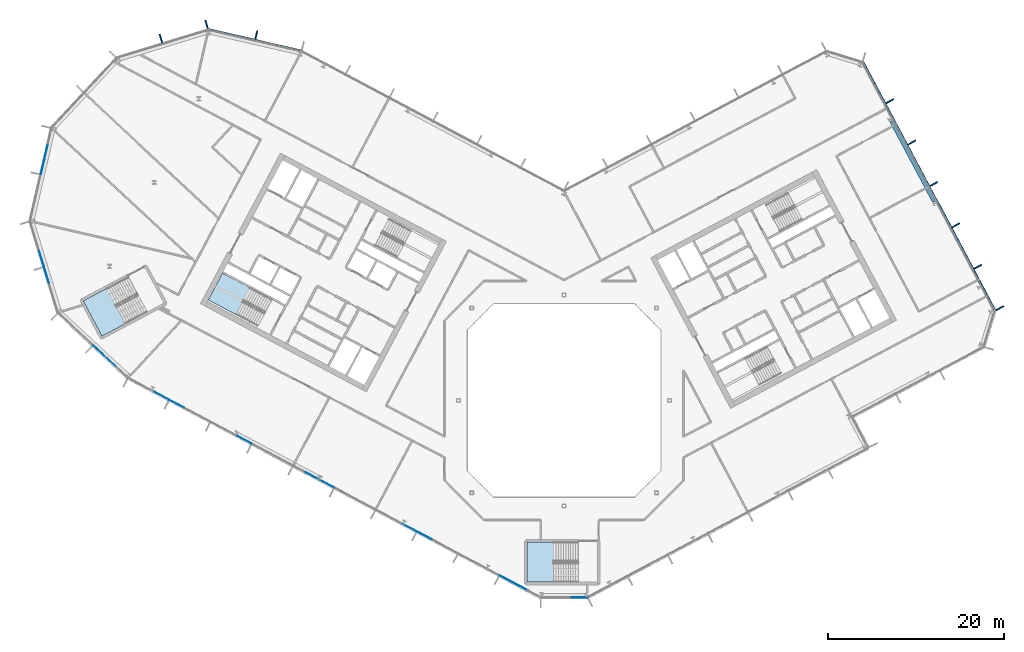
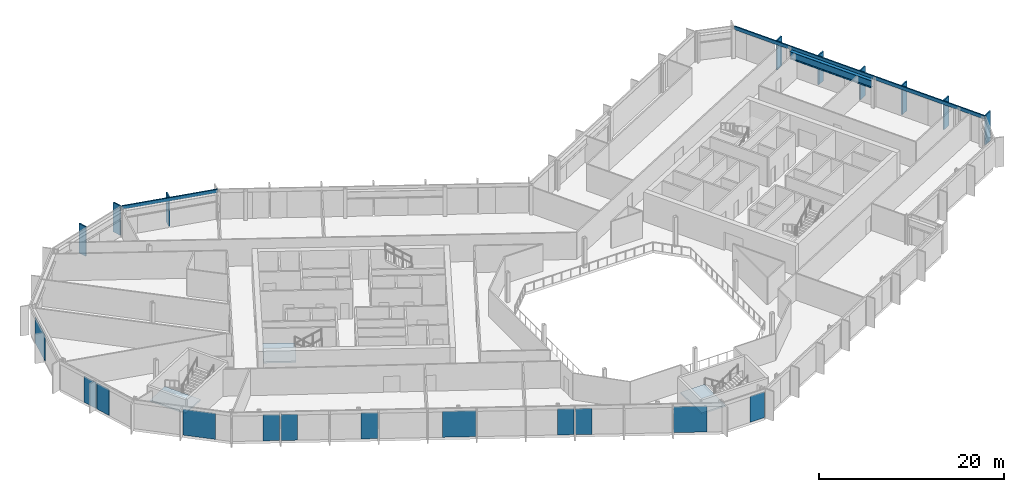
# One storey, part 10 of 27: 12 plates, 11 members, 3 slabs, 1 beam, 11 elements without a shape of their own.
"""IFC4 building model written with IfcOpenShell, lengths in metres."""

from ifc_helpers import new_model, si_unit, direction, frame, origin, origin_2d, place, context, subcontext, project, spatial, polyline, rectangle, i_section, outline, extrude, material, layer, layer_set, material_profile, profile_set, type_object, element, aggregate, save


model = new_model("IFC4")

# Units and contexts
model_context = context("Model", 3, precision=1e-05, world=origin(), true_north=direction((0.0, 1.0)))
body_context = subcontext(model_context, "Body", "Model", "MODEL_VIEW")
ifc_project = project(units=[si_unit("LENGTHUNIT", "METRE"), si_unit("AREAUNIT", "SQUARE_METRE"), si_unit("VOLUMEUNIT", "CUBIC_METRE"), si_unit("PLANEANGLEUNIT", "RADIAN"), si_unit("MASSUNIT", "GRAM", prefix="KILO")], contexts=[model_context])

# Site, building, storey
site_placement = place(None, origin())
site = spatial("IfcSite", under=ifc_project, at=site_placement, CompositionType="ELEMENT")
building_placement = place(site_placement, origin())
building = spatial("IfcBuilding", under=site, at=building_placement, Name="Cormorant Relay Tower", CompositionType="ELEMENT")
storey_placement = place(building_placement, frame((0.0, 0.0, 216.89990234375)))
storey = spatial("IfcBuildingStorey", under=building, at=storey_placement, Name="L47", CompositionType="ELEMENT", Elevation=216.89990234375)

# Curtain wall, members
ifc_material_1 = material(Name="Aluminium 6063-T6 anodised bronze", Category="aluminium")
ifc_layer_1 = layer(ifc_material_1, 0.199951171875)
ifc_layer_set_1 = layer_set([ifc_layer_1], Name="CW1 unitised bronze curtain wall with vertical fins")
curtain_wall_type = type_object("IfcCurtainWallType", Name="CW1 unitised bronze curtain wall with vertical fins", PredefinedType="NOTDEFINED", material=ifc_layer_set_1)
curtain_wall_1_placement = place(storey_placement, origin())
curtain_wall_1 = element("IfcCurtainWall", 1, at=curtain_wall_1_placement, inside=storey, type_object=curtain_wall_type, Name="CW1 curtain wall 6", PredefinedType="NOTDEFINED")
ifc_material_2 = material(Name="Aluminium 6063-T6 anodised bronze", Category="aluminium")
ifc_material_profile_1 = material_profile(ifc_material_2, rectangle(XDim=0.14990234375, YDim=1.0, at=origin_2d()), Name="AL 150x1000")
ifc_profile_set_1 = profile_set([ifc_material_profile_1], Name="Aluminium 6063-T6 anodised bronze")
member_type_1 = type_object("IfcMemberType", Name="CW1 bronze fin mullion 150 x 1000", PredefinedType="MULLION", material=ifc_profile_set_1)
member_1_placement = place(storey_placement, frame((49.572021484375, 10.501953125, 0.0), z_axis=(0.0, 0.0, 1.0), x_axis=(-0.469471562786, 0.882947592859, 0.0)))
member_1 = element("IfcMember", 2, at=member_1_placement, type_object=member_type_1, Name="CW1 fin 6.1", PredefinedType="MULLION", context=body_context, shape_type="SweptSolid", body=[
    extrude(rectangle(XDim=0.14990234375, YDim=1.0, at=origin_2d()), origin(), (0.0, 0.0, 1.0), 3.900146484375),
])
member_2_placement = place(storey_placement, frame((47.068359375, 15.211181640625, 0.0), z_axis=(0.0, 0.0, 1.0), x_axis=(-0.469471562786, 0.882947592859, 0.0)))
member_2 = element("IfcMember", 3, at=member_2_placement, type_object=member_type_1, Name="CW1 fin 6.2", PredefinedType="MULLION", context=body_context, shape_type="SweptSolid", body=[
    extrude(rectangle(XDim=0.14990234375, YDim=1.0, at=origin_2d()), origin(), (0.0, 0.0, 1.0), 3.900146484375),
])
member_3_placement = place(storey_placement, frame((44.564453125, 19.920166015625, 0.0), z_axis=(0.0, 0.0, 1.0), x_axis=(-0.469471562786, 0.882947592859, 0.0)))
member_3 = element("IfcMember", 4, at=member_3_placement, type_object=member_type_1, Name="CW1 fin 6.3", PredefinedType="MULLION", context=body_context, shape_type="SweptSolid", body=[
    extrude(rectangle(XDim=0.14990234375, YDim=1.0, at=origin_2d()), origin(), (0.0, 0.0, 1.0), 3.900146484375),
])
member_4_placement = place(storey_placement, frame((42.060546875, 24.629150390625, 0.0), z_axis=(0.0, 0.0, 1.0), x_axis=(-0.469471562786, 0.882947592859, 0.0)))
member_4 = element("IfcMember", 5, at=member_4_placement, type_object=member_type_1, Name="CW1 fin 6.4", PredefinedType="MULLION", context=body_context, shape_type="SweptSolid", body=[
    extrude(rectangle(XDim=0.14990234375, YDim=1.0, at=origin_2d()), origin(), (0.0, 0.0, 1.0), 3.900146484375),
])
member_5_placement = place(storey_placement, frame((39.556884765625, 29.338134765625, 0.0), z_axis=(0.0, 0.0, 1.0), x_axis=(-0.469471562786, 0.882947592859, 0.0)))
member_5 = element("IfcMember", 6, at=member_5_placement, type_object=member_type_1, Name="CW1 fin 6.5", PredefinedType="MULLION", context=body_context, shape_type="SweptSolid", body=[
    extrude(rectangle(XDim=0.14990234375, YDim=1.0, at=origin_2d()), origin(), (0.0, 0.0, 1.0), 3.900146484375),
])
member_6_placement = place(storey_placement, frame((37.052978515625, 34.04736328125, 0.0), z_axis=(0.0, 0.0, 1.0), x_axis=(-0.469471562786, 0.882947592859, 0.0)))
member_6 = element("IfcMember", 7, at=member_6_placement, type_object=member_type_1, Name="CW1 fin 6.6", PredefinedType="MULLION", context=body_context, shape_type="SweptSolid", body=[
    extrude(rectangle(XDim=0.14990234375, YDim=1.0, at=origin_2d()), origin(), (0.0, 0.0, 1.0), 3.900146484375),
])

# Curtain wall, member
curtain_wall_2_placement = place(storey_placement, origin())
curtain_wall_2 = element("IfcCurtainWall", 8, at=curtain_wall_2_placement, inside=storey, type_object=curtain_wall_type, Name="CW1 curtain wall 10", PredefinedType="NOTDEFINED")
member_7_placement = place(storey_placement, frame((-35.01220703125, 41.57275390625, 0.0), z_axis=(0.0, 0.0, 1.0), x_axis=(-0.974370064785, 0.224951054344, 0.0)))
member_7 = element("IfcMember", 9, at=member_7_placement, type_object=member_type_1, Name="CW1 fin 10.2", PredefinedType="MULLION", context=body_context, shape_type="SweptSolid", body=[
    extrude(rectangle(XDim=0.14990234375, YDim=1.0, at=origin_2d()), origin(), (0.0, 0.0, 1.0), 3.900146484375),
])

# Curtain wall, members
curtain_wall_3_placement = place(storey_placement, origin())
curtain_wall_3 = element("IfcCurtainWall", 10, at=curtain_wall_3_placement, inside=storey, type_object=curtain_wall_type, Name="CW1 curtain wall 11", PredefinedType="NOTDEFINED")
member_8_placement = place(storey_placement, frame((-40.670166015625, 42.78271484375, 0.0), z_axis=(0.0, 0.0, 1.0), x_axis=(-0.956304755963, -0.292371704723, 0.0)))
member_8 = element("IfcMember", 11, at=member_8_placement, type_object=member_type_1, Name="CW1 fin 11.1", PredefinedType="MULLION", context=body_context, shape_type="SweptSolid", body=[
    extrude(rectangle(XDim=0.14990234375, YDim=1.0, at=origin_2d()), origin(), (0.0, 0.0, 1.0), 3.900146484375),
])
member_9_placement = place(storey_placement, frame((-45.867919921875, 41.193603515625, 0.0), z_axis=(0.0, 0.0, 1.0), x_axis=(-0.956304755963, -0.292371704723, 0.0)))
member_9 = element("IfcMember", 12, at=member_9_placement, type_object=member_type_1, Name="CW1 fin 11.2", PredefinedType="MULLION", context=body_context, shape_type="SweptSolid", body=[
    extrude(rectangle(XDim=0.14990234375, YDim=1.0, at=origin_2d()), origin(), (0.0, 0.0, 1.0), 3.900146484375),
])
aggregate(curtain_wall_3, [member_8, member_9])

# Member
ifc_material_3 = material(Name="Aluminium 6063-T6 anodised bronze", Category="aluminium")
ifc_material_profile_2 = material_profile(ifc_material_3, rectangle(XDim=0.159912109375, YDim=0.449951171875, at=origin_2d()), Name="AL 160x450")
ifc_profile_set_2 = profile_set([ifc_material_profile_2], Name="Aluminium 6063-T6 anodised bronze")
member_type_2 = type_object("IfcMemberType", Name="CW1 bronze transom 160 x 450", PredefinedType="USERDEFINED", material=ifc_profile_set_2)
member_10_placement = place(storey_placement, frame((49.06005859375, 10.229736328125, 3.675048828125), z_axis=(-0.46947036835, 0.882948227951, 0.0), x_axis=(-0.882948227951, -0.46947036835, 0.0)))
member_10 = element("IfcMember", 13, at=member_10_placement, type_object=member_type_2, Name="CW1 transom 6", ObjectType="TRANSOM", PredefinedType="USERDEFINED", context=body_context, shape_type="SweptSolid", body=[
    extrude(rectangle(XDim=0.159912109375, YDim=0.449951171875, at=origin_2d()), origin(), (0.0, 0.0, 1.0), 31.999755859375),
])

aggregate(curtain_wall_1, [member_1, member_2, member_3, member_4, member_5, member_6, member_10])

member_11_placement = place(storey_placement, frame((-29.8466796875, 39.784912109375, 3.675048828125), z_axis=(-0.974365070969, 0.224972683844, 0.0), x_axis=(-0.224972683844, -0.974365070969, 0.0)))
member_11 = element("IfcMember", 14, at=member_11_placement, type_object=member_type_2, Name="CW1 transom 10", ObjectType="TRANSOM", PredefinedType="USERDEFINED", context=body_context, shape_type="SweptSolid", body=[
    extrude(rectangle(XDim=0.159912109375, YDim=0.449951171875, at=origin_2d()), origin(), (0.0, 0.0, 1.0), 10.870361328125),
])

aggregate(curtain_wall_2, [member_7, member_11])

# Beam
ifc_material_4 = material(Name="Steel ASTM A992 (Fy 345 MPa)", Category="steel")
ifc_material_profile_3 = material_profile(ifc_material_4, i_section(OverallWidth=0.4013671875, OverallDepth=0.990478515625, WebThickness=0.0166015625, FlangeThickness=0.031005859375, FilletRadius=0.030029296875, at=origin_2d()), Name="W1000x320")
ifc_profile_set_3 = profile_set([ifc_material_profile_3], Name="Steel ASTM A992 (Fy 345 MPa)")
beam_type = type_object("IfcBeamType", Name="Spandrel W1000x320", PredefinedType="SPANDREL", material=ifc_profile_set_3)
beam_placement = place(storey_placement, frame((42.109619140625, 22.61865234375, 3.044677734375), z_axis=(-0.469476269233, 0.882945090381, 0.0), x_axis=(-0.882945090381, -0.469476269233, 0.0)))
element("IfcBeam", 15, at=beam_placement, inside=storey, type_object=beam_type, Name="Spandrel beam L47-006", PredefinedType="SPANDREL", context=body_context, shape_type="SweptSolid", body=[
    extrude(i_section(OverallWidth=0.4013671875, OverallDepth=0.990478515625, WebThickness=0.0166015625, FlangeThickness=0.031005859375, FilletRadius=0.030029296875, at=origin_2d()), origin(), (0.0, 0.0, 1.0), 10.396484375),
])

# Curtain wall, plate
curtain_wall_4_placement = place(storey_placement, origin())
curtain_wall_4 = element("IfcCurtainWall", 16, at=curtain_wall_4_placement, inside=storey, type_object=curtain_wall_type, Name="CW1 curtain wall 1", PredefinedType="NOTDEFINED")
ifc_material_5 = material(Name="Tinted laminated glass", Category="glass")
ifc_layer_2 = layer(ifc_material_5, 0.0400390625)
ifc_layer_set_2 = layer_set([ifc_layer_2], Name="CW1 tinted vision panel 1800 module")
plate_type_1 = type_object("IfcPlateType", Name="CW1 tinted vision panel 1800 module", PredefinedType="CURTAIN_PANEL", material=ifc_layer_set_2)
plate_1_placement = place(storey_placement, frame((1.748779296875, -22.3955078125, 0.0), z_axis=(0.0, 0.0, 1.0), x_axis=(1.0, 0.0, 0.0)))
plate_1 = element("IfcPlate", 17, at=plate_1_placement, type_object=plate_type_1, Name="CW1 panel V01", PredefinedType="CURTAIN_PANEL", context=body_context, shape_type="SweptSolid", body=[
    extrude(rectangle(XDim=1.800048828125, YDim=0.0400390625, at=origin_2d()), origin(), (0.0, 0.0, 1.0), 3.449951171875),
])
aggregate(curtain_wall_4, [plate_1])

# Curtain wall, plates
curtain_wall_5_placement = place(storey_placement, origin())
curtain_wall_5 = element("IfcCurtainWall", 18, at=curtain_wall_5_placement, inside=storey, type_object=curtain_wall_type, Name="CW1 curtain wall 14", PredefinedType="NOTDEFINED")
plate_2_placement = place(storey_placement, frame((-59.434814453125, 16.122314453125, 0.0), z_axis=(0.0, 0.0, 1.0), x_axis=(0.292371704723, -0.956304755963, 0.0)))
plate_2 = element("IfcPlate", 19, at=plate_2_placement, type_object=plate_type_1, Name="CW1 panel V01", PredefinedType="CURTAIN_PANEL", context=body_context, shape_type="SweptSolid", body=[
    extrude(rectangle(XDim=1.800048828125, YDim=0.0400390625, at=origin_2d()), origin(), (0.0, 0.0, 1.0), 3.449951171875),
])
plate_3_placement = place(storey_placement, frame((-58.86474609375, 14.25732421875, 0.0), z_axis=(0.0, 0.0, 1.0), x_axis=(0.292371704723, -0.956304755963, 0.0)))
plate_3 = element("IfcPlate", 20, at=plate_3_placement, type_object=plate_type_1, Name="CW1 panel V02", PredefinedType="CURTAIN_PANEL", context=body_context, shape_type="SweptSolid", body=[
    extrude(rectangle(XDim=1.800048828125, YDim=0.0400390625, at=origin_2d()), origin(), (0.0, 0.0, 1.0), 3.449951171875),
])
aggregate(curtain_wall_5, [plate_2, plate_3])

curtain_wall_6_placement = place(storey_placement, origin())
curtain_wall_6 = element("IfcCurtainWall", 21, at=curtain_wall_6_placement, inside=storey, type_object=curtain_wall_type, Name="CW1 curtain wall 16", PredefinedType="NOTDEFINED")
plate_4_placement = place(storey_placement, frame((-45.767578125, 0.5283203125, 0.0), z_axis=(0.0, 0.0, 1.0), x_axis=(0.882947592859, -0.469471562786, 0.0)))
plate_4 = element("IfcPlate", 22, at=plate_4_placement, type_object=plate_type_1, Name="CW1 panel V01", PredefinedType="CURTAIN_PANEL", context=body_context, shape_type="SweptSolid", body=[
    extrude(rectangle(XDim=1.800048828125, YDim=0.0400390625, at=origin_2d()), origin(), (0.0, 0.0, 1.0), 3.449951171875),
])
plate_5_placement = place(storey_placement, frame((-44.0458984375, -0.38720703125, 0.0), z_axis=(0.0, 0.0, 1.0), x_axis=(0.882947592859, -0.469471562786, 0.0)))
plate_5 = element("IfcPlate", 23, at=plate_5_placement, type_object=plate_type_1, Name="CW1 panel V02", PredefinedType="CURTAIN_PANEL", context=body_context, shape_type="SweptSolid", body=[
    extrude(rectangle(XDim=1.800048828125, YDim=0.0400390625, at=origin_2d()), origin(), (0.0, 0.0, 1.0), 3.449951171875),
])
plate_6_placement = place(storey_placement, frame((-36.37890625, -4.463623046875, 0.0), z_axis=(0.0, 0.0, 1.0), x_axis=(0.882947592859, -0.469471562786, 0.0)))
plate_6 = element("IfcPlate", 24, at=plate_6_placement, type_object=plate_type_1, Name="CW1 panel V04", PredefinedType="CURTAIN_PANEL", context=body_context, shape_type="SweptSolid", body=[
    extrude(rectangle(XDim=1.800048828125, YDim=0.0400390625, at=origin_2d()), origin(), (0.0, 0.0, 1.0), 3.449951171875),
])
plate_7_placement = place(storey_placement, frame((-17.601806640625, -14.447509765625, 0.0), z_axis=(0.0, 0.0, 1.0), x_axis=(0.882947592859, -0.469471562786, 0.0)))
plate_7 = element("IfcPlate", 25, at=plate_7_placement, type_object=plate_type_1, Name="CW1 panel V08", PredefinedType="CURTAIN_PANEL", context=body_context, shape_type="SweptSolid", body=[
    extrude(rectangle(XDim=1.800048828125, YDim=0.0400390625, at=origin_2d()), origin(), (0.0, 0.0, 1.0), 3.449951171875),
])
plate_8_placement = place(storey_placement, frame((-15.880126953125, -15.363037109375, 0.0), z_axis=(0.0, 0.0, 1.0), x_axis=(0.882947592859, -0.469471562786, 0.0)))
plate_8 = element("IfcPlate", 26, at=plate_8_placement, type_object=plate_type_1, Name="CW1 panel V09", PredefinedType="CURTAIN_PANEL", context=body_context, shape_type="SweptSolid", body=[
    extrude(rectangle(XDim=1.800048828125, YDim=0.0400390625, at=origin_2d()), origin(), (0.0, 0.0, 1.0), 3.449951171875),
])

# Curtain wall, plate
curtain_wall_7_placement = place(storey_placement, origin())
curtain_wall_7 = element("IfcCurtainWall", 27, at=curtain_wall_7_placement, inside=storey, type_object=curtain_wall_type, Name="CW1 curtain wall 13", PredefinedType="NOTDEFINED")
ifc_material_6 = material(Name="Tinted laminated glass", Category="glass")
ifc_layer_3 = layer(ifc_material_6, 0.0400390625)
ifc_layer_set_3 = layer_set([ifc_layer_3], Name="CW1 tinted vision panel 3600 module")
plate_type_2 = type_object("IfcPlateType", Name="CW1 tinted vision panel 3600 module", PredefinedType="CURTAIN_PANEL", material=ifc_layer_set_3)
plate_9_placement = place(storey_placement, frame((-59.094970703125, 27.520751953125, 0.0), z_axis=(0.0, 0.0, 1.0), x_axis=(-0.224951054344, -0.974370064785, 0.0)))
plate_9 = element("IfcPlate", 28, at=plate_9_placement, type_object=plate_type_2, Name="CW1 panel V01", PredefinedType="CURTAIN_PANEL", context=body_context, shape_type="SweptSolid", body=[
    extrude(rectangle(XDim=3.60009765625, YDim=0.0400390625, at=origin_2d()), origin(), (0.0, 0.0, 1.0), 3.449951171875),
])
aggregate(curtain_wall_7, [plate_9])

curtain_wall_8_placement = place(storey_placement, origin())
curtain_wall_8 = element("IfcCurtainWall", 29, at=curtain_wall_8_placement, inside=storey, type_object=curtain_wall_type, Name="CW1 curtain wall 15", PredefinedType="NOTDEFINED")
plate_10_placement = place(storey_placement, frame((-52.208984375, 4.997802734375, 0.0), z_axis=(0.0, 0.0, 1.0), x_axis=(0.731353701619, -0.681998360062, 0.0)))
plate_10 = element("IfcPlate", 30, at=plate_10_placement, type_object=plate_type_2, Name="CW1 panel V01", PredefinedType="CURTAIN_PANEL", context=body_context, shape_type="SweptSolid", body=[
    extrude(rectangle(XDim=3.60009765625, YDim=0.0400390625, at=origin_2d()), origin(), (0.0, 0.0, 1.0), 3.449951171875),
])
aggregate(curtain_wall_8, [plate_10])

# Plate
plate_11_placement = place(storey_placement, frame((-27.78515625, -9.032958984375, 0.0), z_axis=(0.0, 0.0, 1.0), x_axis=(0.882947592859, -0.469471562786, 0.0)))
plate_11 = element("IfcPlate", 31, at=plate_11_placement, type_object=plate_type_2, Name="CW1 panel V06", PredefinedType="CURTAIN_PANEL", context=body_context, shape_type="SweptSolid", body=[
    extrude(rectangle(XDim=3.60009765625, YDim=0.0400390625, at=origin_2d()), origin(), (0.0, 0.0, 1.0), 3.449951171875),
])

plate_12_placement = place(storey_placement, frame((-5.697021484375, -20.777587890625, 0.0), z_axis=(0.0, 0.0, 1.0), x_axis=(0.882947592859, -0.469471562786, 0.0)))
plate_12 = element("IfcPlate", 32, at=plate_12_placement, type_object=plate_type_2, Name="CW1 panel V11", PredefinedType="CURTAIN_PANEL", context=body_context, shape_type="SweptSolid", body=[
    extrude(rectangle(XDim=3.60009765625, YDim=0.0400390625, at=origin_2d()), origin(), (0.0, 0.0, 1.0), 3.449951171875),
])

aggregate(curtain_wall_6, [plate_4, plate_5, plate_6, plate_11, plate_7, plate_8, plate_12])

# Stair, slab
ifc_material_7 = material(Name="Concrete 40 MPa", Category="concrete")
stair_type_1 = type_object("IfcStairType", Name="Exit stair 1500", PredefinedType="HALF_TURN_STAIR", material=ifc_material_7)
stair_1_placement = place(storey_placement, origin())
stair_1 = element("IfcStair", 33, at=stair_1_placement, inside=storey, type_object=stair_type_1, Name="L47 Stair", PredefinedType="HALF_TURN_STAIR")
ifc_material_8 = material(Name="Concrete 40 MPa", Category="concrete")
ifc_layer_4 = layer(ifc_material_8, 0.199951171875)
ifc_layer_set_4 = layer_set([ifc_layer_4], Name="Exit stair landing 200")
slab_type = type_object("IfcSlabType", Name="Exit stair landing 200", PredefinedType="LANDING", material=ifc_layer_set_4)
slab_1_placement = place(storey_placement, frame((0.0, 0.0, 1.75)))
slab_1 = element("IfcSlab", 34, at=slab_1_placement, type_object=slab_type, Name="A2 landing 1", PredefinedType="LANDING", context=body_context, shape_type="SweptSolid", body=[
    extrude(outline(polyline([(-35.71337890625, 12.816650390625), (-38.84765625, 14.483154296875), (-40.467529296875, 11.43701171875), (-37.3330078125, 9.7705078125), (-35.71337890625, 12.816650390625)])), origin(), (0.0, 0.0, 1.0), 0.2001953125),
])
aggregate(stair_1, [slab_1])

ifc_material_9 = material(Name="Concrete 40 MPa", Category="concrete")
stair_type_2 = type_object("IfcStairType", Name="Remote exit stair 2200", PredefinedType="HALF_TURN_STAIR", material=ifc_material_9)
stair_2_placement = place(storey_placement, origin())
stair_2 = element("IfcStair", 35, at=stair_2_placement, inside=storey, type_object=stair_type_2, Name="L47 Stair", PredefinedType="HALF_TURN_STAIR")
slab_2_placement = place(storey_placement, frame((0.0, 0.0, 1.75)))
slab_2 = element("IfcSlab", 36, at=slab_2_placement, type_object=slab_type, Name="RK1 landing 1", PredefinedType="LANDING", context=body_context, shape_type="SweptSolid", body=[
    extrude(outline(polyline([(-1.199951171875, -16.125), (-4.199951171875, -16.125), (-4.199951171875, -20.675048828125), (-1.199951171875, -20.675048828125), (-1.199951171875, -16.125)])), origin(), (0.0, 0.0, 1.0), 0.2001953125),
])
aggregate(stair_2, [slab_2])

stair_3_placement = place(storey_placement, origin())
stair_3 = element("IfcStair", 37, at=stair_3_placement, inside=storey, type_object=stair_type_2, Name="L47 Stair", PredefinedType="HALF_TURN_STAIR")
slab_3_placement = place(storey_placement, frame((0.0, 0.0, 1.75)))
slab_3 = element("IfcSlab", 38, at=slab_3_placement, type_object=slab_type, Name="RP1 landing 1", PredefinedType="LANDING", context=body_context, shape_type="SweptSolid", body=[
    extrude(outline(polyline([(-52.051025390625, 12.7392578125), (-54.699951171875, 11.330810546875), (-52.563720703125, 7.3134765625), (-49.914794921875, 8.721923828125), (-52.051025390625, 12.7392578125)])), origin(), (0.0, 0.0, 1.0), 0.2001953125),
])
aggregate(stair_3, [slab_3])

save(model, "model.ifc")
